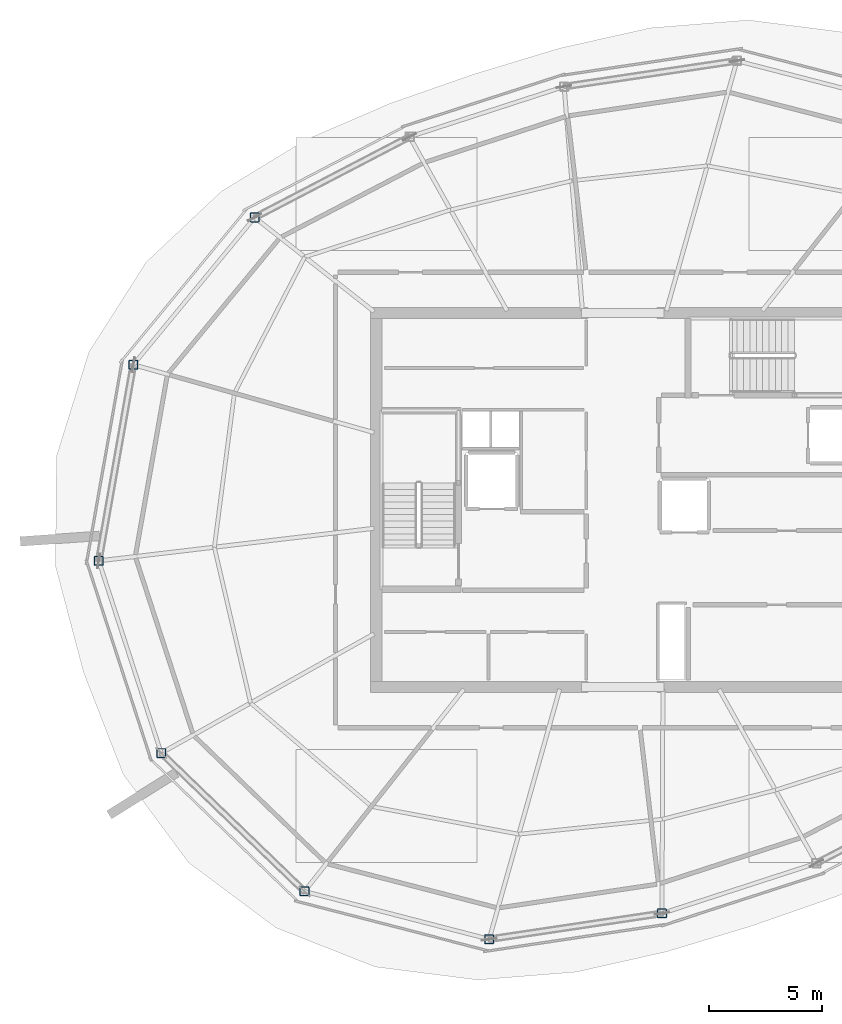
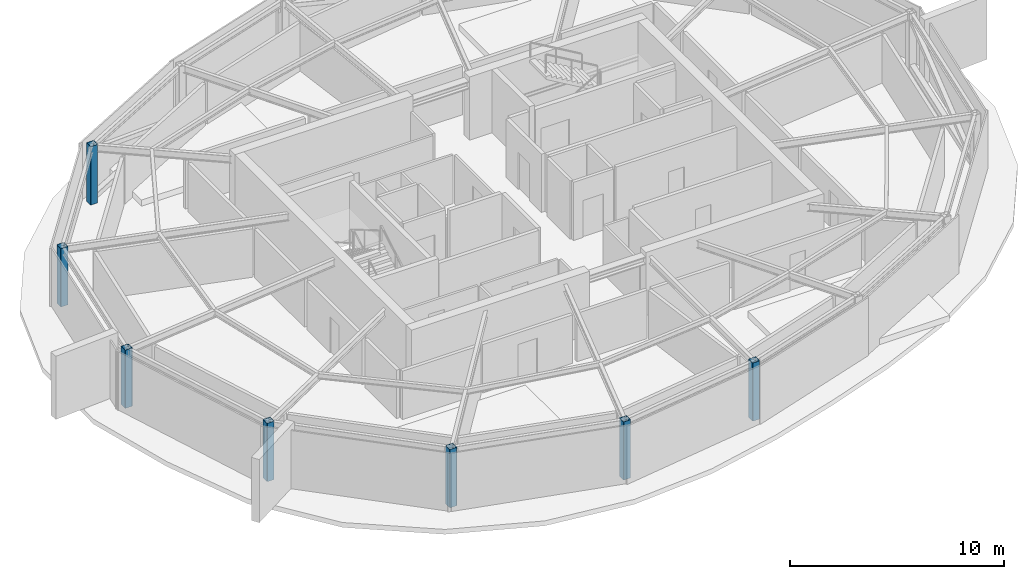
# One storey, part 1 of 10: 7 columns.
"""IFC4 building model written with IfcOpenShell, lengths in metres."""

from ifc_helpers import new_model, si_unit, direction, frame, origin, origin_2d, place, context, subcontext, project, spatial, hollow_rectangle, extrude, material, material_profile, profile_set, type_object, element, save


model = new_model("IFC4")

# Units and contexts
model_context = context("Model", 3, precision=1e-05, world=origin(), true_north=direction((0.0, 1.0)))
body_context = subcontext(model_context, "Body", "Model", "MODEL_VIEW")
ifc_project = project(units=[si_unit("LENGTHUNIT", "METRE"), si_unit("AREAUNIT", "SQUARE_METRE"), si_unit("VOLUMEUNIT", "CUBIC_METRE"), si_unit("PLANEANGLEUNIT", "RADIAN"), si_unit("MASSUNIT", "GRAM", prefix="KILO")], contexts=[model_context])

# Site, building, storey
site_placement = place(None, origin())
site = spatial("IfcSite", under=ifc_project, at=site_placement, CompositionType="ELEMENT")
building_placement = place(site_placement, origin())
building = spatial("IfcBuilding", under=site, at=building_placement, Name="Kazma Halo Residences", CompositionType="ELEMENT")
storey_placement = place(building_placement, frame((0.0, 0.0, 363.199951171875)))
storey = spatial("IfcBuildingStorey", under=building, at=storey_placement, Name="L91", CompositionType="ELEMENT", Elevation=363.199951171875)

# Columns
ifc_material = material(Name="Steel S355", Category="steel")
ifc_material_profile = material_profile(ifc_material, hollow_rectangle(XDim=0.39990234375, YDim=0.39990234375, WallThickness=0.02001953125, InnerFilletRadius=0.02001953125, OuterFilletRadius=0.0400390625, at=origin_2d()), Name="SHS400x400x20")
ifc_profile_set = profile_set([ifc_material_profile], Name="Steel S355")
column_type = type_object("IfcColumnType", Name="COL-CROWN-SHS400", PredefinedType="COLUMN", material=ifc_profile_set)
for number, where, z_axis, x_axis, name in (
    (1, (32.184814453125, 54.467529296875, 0.0), (0.0, 0.0, 1.0), (1.0, 0.0, 0.0), "L91 CROWN FRAME perimeter column P06"),
    (2, (26.830078125, 47.970458984375, 0.0), (0.0, 0.0, 1.0), (1.0, 0.0, 0.0), "L91 CROWN FRAME perimeter column P07"),
    (3, (25.3037109375, 39.313720703125, 0.0), (0.0, 0.0, 1.0), (1.0, 0.0, 0.0), "L91 CROWN FRAME perimeter column P08"),
    (4, (28.059326171875, 30.832763671875, 0.0), (0.0, 0.0, 1.0), (1.0, 0.0, 0.0), "L91 CROWN FRAME perimeter column P09"),
    (5, (34.382568359375, 24.726318359375, 0.0), (0.0, 0.0, 1.0), (1.0, 0.0, 0.0), "L91 CROWN FRAME perimeter column P10"),
    (6, (42.53369140625, 22.61767578125, 0.0), (0.0, 0.0, 1.0), (1.0, 0.0, 0.0), "L91 CROWN FRAME perimeter column P11"),
    (7, (50.1591796875, 23.75634765625, 0.0), (0.0, 0.0, 1.0), (1.0, 0.0, 0.0), "L91 CROWN FRAME perimeter column P12"),
):
    element("IfcColumn", number, at=place(storey_placement, frame(where, z_axis=z_axis, x_axis=x_axis)), inside=storey, type_object=column_type, Name=name, PredefinedType="COLUMN", context=body_context, shape_type="SweptSolid", body=[
        extrude(hollow_rectangle(XDim=0.39990234375, YDim=0.39990234375, WallThickness=0.02001953125, InnerFilletRadius=0.02001953125, OuterFilletRadius=0.0400390625, at=origin_2d()), origin(), (0.0, 0.0, 1.0), 3.320068359375),
    ])

save(model, "model.ifc")
